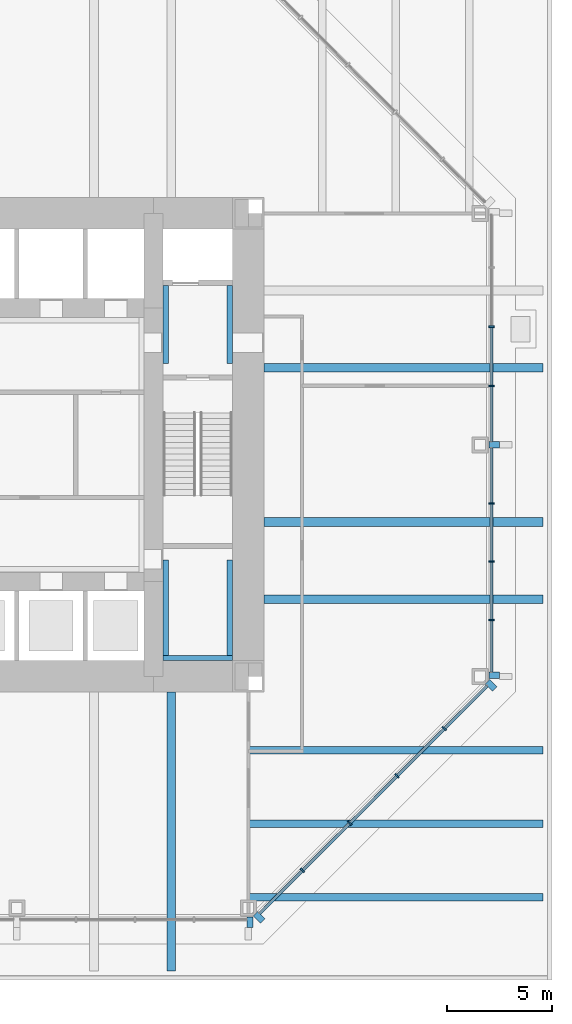
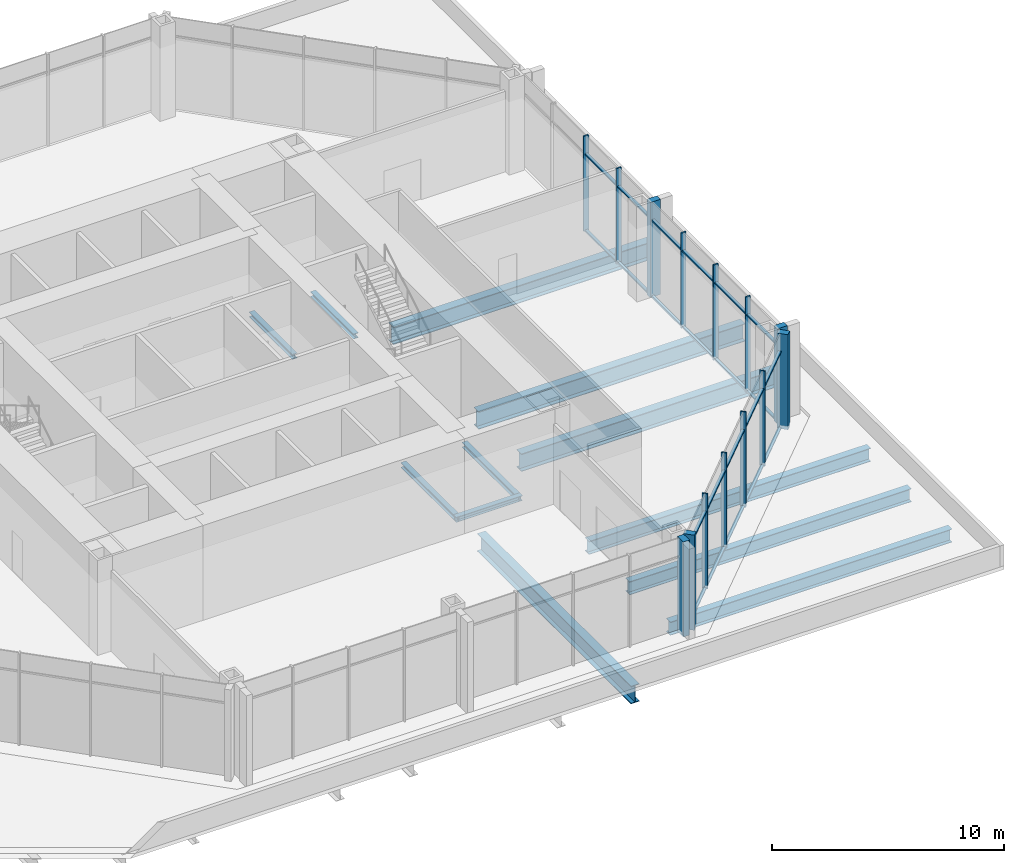
# One storey, part 3 of 11: 36 members, 12 beams, 3 elements without a shape of their own.
"""IFC4 building model written with IfcOpenShell, lengths in metres."""

from ifc_helpers import new_model, si_unit, direction, frame, origin, origin_2d, place, context, subcontext, project, spatial, rectangle, i_section, extrude, material, material_profile, profile_set, type_object, element, aggregate, save


model = new_model("IFC4")

# Units and contexts
model_context = context("Model", 3, precision=1e-05, world=origin(), true_north=direction((0.0, 1.0)))
body_context = subcontext(model_context, "Body", "Model", "MODEL_VIEW")
ifc_project = project(units=[si_unit("LENGTHUNIT", "METRE"), si_unit("AREAUNIT", "SQUARE_METRE"), si_unit("VOLUMEUNIT", "CUBIC_METRE"), si_unit("PLANEANGLEUNIT", "RADIAN"), si_unit("MASSUNIT", "GRAM", prefix="KILO")], contexts=[model_context])

# Site, building, storey
site_placement = place(None, origin())
site = spatial("IfcSite", under=ifc_project, at=site_placement, CompositionType="ELEMENT")
building_placement = place(site_placement, origin())
building = spatial("IfcBuilding", under=site, at=building_placement, Name="Trevanion Tower", CompositionType="ELEMENT")
storey_placement = place(building_placement, frame((0.0, 0.0, 95.800048828125)))
storey = spatial("IfcBuildingStorey", under=building, at=storey_placement, Name="L22", CompositionType="ELEMENT", Elevation=95.800048828125)

# Beams
ifc_material_1 = material(Name="Steel ASTM A992 Grade 50", Category="steel")
ifc_material_profile_1 = material_profile(ifc_material_1, i_section(OverallWidth=0.419189453125, OverallDepth=0.927001953125, WebThickness=0.019287109375, FlangeThickness=0.031982421875, at=origin_2d()), Name="W36X231")
ifc_profile_set_1 = profile_set([ifc_material_profile_1], Name="Steel ASTM A992 Grade 50")
beam_type_1 = type_object("IfcBeamType", Name="B5 W36X231", PredefinedType="BEAM", material=ifc_profile_set_1)
for number, where, z_axis, x_axis, name in (
    (1, (11.75, -7.333251953125, -0.653564453125), (1.0, 0.0, 0.0), (0.0, 1.0, 0.0), "B5 L22"),
    (2, (11.75, -3.666748046875, -0.653564453125), (1.0, 0.0, 0.0), (0.0, 1.0, 0.0), "B5 L22"),
    (3, (11.75, 3.666748046875, -0.653564453125), (1.0, 0.0, 0.0), (0.0, 1.0, 0.0), "B5 L22"),
    (4, (7.333251953125, -11.75, -0.653564453125), (0.0, -1.0, 0.0), (1.0, 0.0, 0.0), "B5 L22"),
):
    element("IfcBeam", number, at=place(storey_placement, frame(where, z_axis=z_axis, x_axis=x_axis)), inside=storey, type_object=beam_type_1, Name=name, PredefinedType="BEAM", context=body_context, shape_type="SweptSolid", body=[
        extrude(i_section(OverallWidth=0.419189453125, OverallDepth=0.927001953125, WebThickness=0.019287109375, FlangeThickness=0.031982421875, at=origin_2d()), origin(), (0.0, 0.0, 1.0), 13.25),
    ])
ifc_material_2 = material(Name="Steel ASTM A992 Grade 50", Category="steel")
ifc_material_profile_2 = material_profile(ifc_material_2, i_section(OverallWidth=0.355712890625, OverallDepth=0.696044921875, WebThickness=0.015380859375, FlangeThickness=0.024658203125, at=origin_2d()), Name="W27X146")
ifc_profile_set_2 = profile_set([ifc_material_profile_2], Name="Steel ASTM A992 Grade 50")
beam_type_2 = type_object("IfcBeamType", Name="B6 W27X146", PredefinedType="BEAM", material=ifc_profile_set_2)
for number, where, z_axis, x_axis, name in (
    (5, (11.0, -14.5, -0.5380859375), (1.0, 0.0, 0.0), (0.0, 1.0, 0.0), "B6 L22"),
    (6, (11.0, -18.0, -0.5380859375), (1.0, 0.0, 0.0), (0.0, 1.0, 0.0), "B6 L22"),
    (7, (11.0, -21.5, -0.5380859375), (1.0, 0.0, 0.0), (0.0, 1.0, 0.0), "B6 L22"),
):
    element("IfcBeam", number, at=place(storey_placement, frame(where, z_axis=z_axis, x_axis=x_axis)), inside=storey, type_object=beam_type_2, Name=name, PredefinedType="BEAM", context=body_context, shape_type="SweptSolid", body=[
        extrude(i_section(OverallWidth=0.355712890625, OverallDepth=0.696044921875, WebThickness=0.015380859375, FlangeThickness=0.024658203125, at=origin_2d()), origin(), (0.0, 0.0, 1.0), 14.0),
    ])

# Curtain wall, members
ifc_material_3 = material(Name="Aluminium and glass", Category="aluminium")
curtain_wall_type = type_object("IfcCurtainWallType", Name="CW2 curtain wall", PredefinedType="USERDEFINED", material=ifc_material_3)
curtain_wall_1_placement = place(storey_placement, origin())
curtain_wall_1 = element("IfcCurtainWall", 8, at=curtain_wall_1_placement, inside=storey, type_object=curtain_wall_type, Name="CW2 L22 0", ObjectType="UNITISED CURTAIN WALL", PredefinedType="USERDEFINED")
ifc_material_4 = material(Name="Aluminium extrusion, anodised bronze", Category="aluminium")
ifc_material_profile_3 = material_profile(ifc_material_4, rectangle(XDim=0.074951171875, YDim=0.25, at=origin_2d()), Name="CW2 mullion")
ifc_profile_set_3 = profile_set([ifc_material_profile_3], Name="Aluminium extrusion, anodised bronze")
member_type_1 = type_object("IfcMemberType", Name="CW2 mullion", PredefinedType="MULLION", material=ifc_profile_set_3)
member_1_placement = place(storey_placement, frame((22.550048828125, -8.323486328125, -0.18994140625), z_axis=(0.0, 0.0, 1.0), x_axis=(0.0, 1.0, 0.0)))
member_1 = element("IfcMember", 9, at=member_1_placement, type_object=member_type_1, Name="CW2 mullion 2", PredefinedType="MULLION", context=body_context, shape_type="SweptSolid", body=[
    extrude(rectangle(XDim=0.074951171875, YDim=0.25, at=origin_2d()), origin(), (0.0, 0.0, 1.0), 5.0),
])
member_2_placement = place(storey_placement, frame((22.550048828125, -5.548828125, -0.18994140625), z_axis=(0.0, 0.0, 1.0), x_axis=(0.0, 1.0, 0.0)))
member_2 = element("IfcMember", 10, at=member_2_placement, type_object=member_type_1, Name="CW2 mullion 3", PredefinedType="MULLION", context=body_context, shape_type="SweptSolid", body=[
    extrude(rectangle(XDim=0.074951171875, YDim=0.25, at=origin_2d()), origin(), (0.0, 0.0, 1.0), 5.0),
])
member_3_placement = place(storey_placement, frame((22.550048828125, -2.7744140625, -0.18994140625), z_axis=(0.0, 0.0, 1.0), x_axis=(0.0, 1.0, 0.0)))
member_3 = element("IfcMember", 11, at=member_3_placement, type_object=member_type_1, Name="CW2 mullion 4", PredefinedType="MULLION", context=body_context, shape_type="SweptSolid", body=[
    extrude(rectangle(XDim=0.074951171875, YDim=0.25, at=origin_2d()), origin(), (0.0, 0.0, 1.0), 5.0),
])
member_4_placement = place(storey_placement, frame((22.550048828125, 2.806884765625, -0.18994140625), z_axis=(0.0, 0.0, 1.0), x_axis=(0.0, 1.0, 0.0)))
member_4 = element("IfcMember", 12, at=member_4_placement, type_object=member_type_1, Name="CW2 mullion 6", PredefinedType="MULLION", context=body_context, shape_type="SweptSolid", body=[
    extrude(rectangle(XDim=0.074951171875, YDim=0.25, at=origin_2d()), origin(), (0.0, 0.0, 1.0), 5.0),
])
member_5_placement = place(storey_placement, frame((22.550048828125, 5.614013671875, -0.18994140625), z_axis=(0.0, 0.0, 1.0), x_axis=(0.0, 1.0, 0.0)))
member_5 = element("IfcMember", 13, at=member_5_placement, type_object=member_type_1, Name="CW2 mullion 7", PredefinedType="MULLION", context=body_context, shape_type="SweptSolid", body=[
    extrude(rectangle(XDim=0.074951171875, YDim=0.25, at=origin_2d()), origin(), (0.0, 0.0, 1.0), 5.0),
])

curtain_wall_2_placement = place(storey_placement, origin())
curtain_wall_2 = element("IfcCurtainWall", 14, at=curtain_wall_2_placement, inside=storey, type_object=curtain_wall_type, Name="CW2 L22 7", ObjectType="UNITISED CURTAIN WALL", PredefinedType="USERDEFINED")
member_6_placement = place(storey_placement, frame((13.56591796875, -20.2119140625, -0.18994140625), z_axis=(0.0, 0.0, 1.0), x_axis=(0.707106781187, 0.707106781187, 0.0)))
member_6 = element("IfcMember", 15, at=member_6_placement, type_object=member_type_1, Name="CW2 mullion 2", PredefinedType="MULLION", context=body_context, shape_type="SweptSolid", body=[
    extrude(rectangle(XDim=0.074951171875, YDim=0.25, at=origin_2d()), origin(), (0.0, 0.0, 1.0), 5.0),
])
member_7_placement = place(storey_placement, frame((15.811767578125, -17.966064453125, -0.18994140625), z_axis=(0.0, 0.0, 1.0), x_axis=(0.707106781187, 0.707106781187, 0.0)))
member_7 = element("IfcMember", 16, at=member_7_placement, type_object=member_type_1, Name="CW2 mullion 3", PredefinedType="MULLION", context=body_context, shape_type="SweptSolid", body=[
    extrude(rectangle(XDim=0.074951171875, YDim=0.25, at=origin_2d()), origin(), (0.0, 0.0, 1.0), 5.0),
])
member_8_placement = place(storey_placement, frame((18.057861328125, -15.719970703125, -0.18994140625), z_axis=(0.0, 0.0, 1.0), x_axis=(0.707106781187, 0.707106781187, 0.0)))
member_8 = element("IfcMember", 17, at=member_8_placement, type_object=member_type_1, Name="CW2 mullion 4", PredefinedType="MULLION", context=body_context, shape_type="SweptSolid", body=[
    extrude(rectangle(XDim=0.074951171875, YDim=0.25, at=origin_2d()), origin(), (0.0, 0.0, 1.0), 5.0),
])
member_9_placement = place(storey_placement, frame((20.303955078125, -13.473876953125, -0.18994140625), z_axis=(0.0, 0.0, 1.0), x_axis=(0.707106781187, 0.707106781187, 0.0)))
member_9 = element("IfcMember", 18, at=member_9_placement, type_object=member_type_1, Name="CW2 mullion 5", PredefinedType="MULLION", context=body_context, shape_type="SweptSolid", body=[
    extrude(rectangle(XDim=0.074951171875, YDim=0.25, at=origin_2d()), origin(), (0.0, 0.0, 1.0), 5.0),
])

# Member
ifc_material_5 = material(Name="Aluminium extrusion, anodised bronze", Category="aluminium")
ifc_material_profile_4 = material_profile(ifc_material_5, rectangle(XDim=0.300048828125, YDim=0.5, at=origin_2d()), Name="CW2 pier mullion")
ifc_profile_set_4 = profile_set([ifc_material_profile_4], Name="Aluminium extrusion, anodised bronze")
member_type_2 = type_object("IfcMemberType", Name="CW2 pier mullion", PredefinedType="MULLION", material=ifc_profile_set_4)
member_10_placement = place(storey_placement, frame((22.675048828125, -10.94775390625, -0.18994140625), z_axis=(0.0, 0.0, 1.0), x_axis=(0.0, 1.0, 0.0)))
member_10 = element("IfcMember", 19, at=member_10_placement, type_object=member_type_2, Name="CW2 pier mullion 1", PredefinedType="MULLION", context=body_context, shape_type="SweptSolid", body=[
    extrude(rectangle(XDim=0.300048828125, YDim=0.5, at=origin_2d()), origin(), (0.0, 0.0, 1.0), 5.0),
])

member_11_placement = place(storey_placement, frame((22.675048828125, 0.0, -0.18994140625), z_axis=(0.0, 0.0, 1.0), x_axis=(0.0, 1.0, 0.0)))
member_11 = element("IfcMember", 20, at=member_11_placement, type_object=member_type_2, Name="CW2 pier mullion 5", PredefinedType="MULLION", context=body_context, shape_type="SweptSolid", body=[
    extrude(rectangle(XDim=0.300048828125, YDim=0.5, at=origin_2d()), origin(), (0.0, 0.0, 1.0), 5.0),
])

# Curtain wall, member
curtain_wall_3_placement = place(storey_placement, origin())
curtain_wall_3 = element("IfcCurtainWall", 21, at=curtain_wall_3_placement, inside=storey, type_object=curtain_wall_type, Name="CW2 L22 6", ObjectType="UNITISED CURTAIN WALL", PredefinedType="USERDEFINED")
member_12_placement = place(storey_placement, frame((11.077880859375, -22.675048828125, -0.18994140625), z_axis=(0.0, 0.0, 1.0), x_axis=(1.0, 0.0, 0.0)))
member_12 = element("IfcMember", 22, at=member_12_placement, type_object=member_type_2, Name="CW2 pier mullion 9", PredefinedType="MULLION", context=body_context, shape_type="SweptSolid", body=[
    extrude(rectangle(XDim=0.300048828125, YDim=0.5, at=origin_2d()), origin(), (0.0, 0.0, 1.0), 5.0),
])
aggregate(curtain_wall_3, [member_12])

# Member
member_13_placement = place(storey_placement, frame((11.51416015625, -22.4404296875, -0.18994140625), z_axis=(0.0, 0.0, 1.0), x_axis=(0.707106781187, 0.707106781187, 0.0)))
member_13 = element("IfcMember", 23, at=member_13_placement, type_object=member_type_2, Name="CW2 pier mullion 1", PredefinedType="MULLION", context=body_context, shape_type="SweptSolid", body=[
    extrude(rectangle(XDim=0.300048828125, YDim=0.5, at=origin_2d()), origin(), (0.0, 0.0, 1.0), 5.0),
])

member_14_placement = place(storey_placement, frame((22.5322265625, -11.42236328125, -0.18994140625), z_axis=(0.0, 0.0, 1.0), x_axis=(0.707106781187, 0.707106781187, 0.0)))
member_14 = element("IfcMember", 24, at=member_14_placement, type_object=member_type_2, Name="CW2 pier mullion 6", PredefinedType="MULLION", context=body_context, shape_type="SweptSolid", body=[
    extrude(rectangle(XDim=0.300048828125, YDim=0.5, at=origin_2d()), origin(), (0.0, 0.0, 1.0), 5.0),
])

ifc_material_6 = material(Name="Aluminium extrusion, anodised bronze", Category="aluminium")
ifc_material_profile_5 = material_profile(ifc_material_6, rectangle(XDim=0.14990234375, YDim=0.074951171875, at=origin_2d()), Name="CW2 transom")
ifc_profile_set_5 = profile_set([ifc_material_profile_5], Name="Aluminium extrusion, anodised bronze")
member_type_3 = type_object("IfcMemberType", Name="CW2 transom", PredefinedType="USERDEFINED", material=ifc_profile_set_5)
member_15_placement = place(storey_placement, frame((22.550048828125, -10.7978515625, -0.152587890625), z_axis=(0.0, 1.0, 0.0), x_axis=(-1.0, 0.0, 0.0)))
member_15 = element("IfcMember", 25, at=member_15_placement, type_object=member_type_3, Name="CW2 transom 1.1", ObjectType="TRANSOM", PredefinedType="USERDEFINED", context=body_context, shape_type="SweptSolid", body=[
    extrude(rectangle(XDim=0.14990234375, YDim=0.074951171875, at=origin_2d()), origin(), (0.0, 0.0, 1.0), 2.43701171875),
])

member_16_placement = place(storey_placement, frame((22.550048828125, -10.7978515625, 3.85986328125), z_axis=(0.0, 1.0, 0.0), x_axis=(-1.0, 0.0, 0.0)))
member_16 = element("IfcMember", 26, at=member_16_placement, type_object=member_type_3, Name="CW2 transom 1.2", ObjectType="TRANSOM", PredefinedType="USERDEFINED", context=body_context, shape_type="SweptSolid", body=[
    extrude(rectangle(XDim=0.14990234375, YDim=0.074951171875, at=origin_2d()), origin(), (0.0, 0.0, 1.0), 2.43701171875),
])

member_17_placement = place(storey_placement, frame((22.550048828125, -8.285888671875, -0.152587890625), z_axis=(0.0, 1.0, 0.0), x_axis=(-1.0, 0.0, 0.0)))
member_17 = element("IfcMember", 27, at=member_17_placement, type_object=member_type_3, Name="CW2 transom 2.1", ObjectType="TRANSOM", PredefinedType="USERDEFINED", context=body_context, shape_type="SweptSolid", body=[
    extrude(rectangle(XDim=0.14990234375, YDim=0.074951171875, at=origin_2d()), origin(), (0.0, 0.0, 1.0), 2.699462890625),
])

member_18_placement = place(storey_placement, frame((22.550048828125, -8.285888671875, 3.85986328125), z_axis=(0.0, 1.0, 0.0), x_axis=(-1.0, 0.0, 0.0)))
member_18 = element("IfcMember", 28, at=member_18_placement, type_object=member_type_3, Name="CW2 transom 2.2", ObjectType="TRANSOM", PredefinedType="USERDEFINED", context=body_context, shape_type="SweptSolid", body=[
    extrude(rectangle(XDim=0.14990234375, YDim=0.074951171875, at=origin_2d()), origin(), (0.0, 0.0, 1.0), 2.699462890625),
])

member_19_placement = place(storey_placement, frame((22.550048828125, -5.511474609375, -0.152587890625), z_axis=(0.0, 1.0, 0.0), x_axis=(-1.0, 0.0, 0.0)))
member_19 = element("IfcMember", 29, at=member_19_placement, type_object=member_type_3, Name="CW2 transom 3.1", ObjectType="TRANSOM", PredefinedType="USERDEFINED", context=body_context, shape_type="SweptSolid", body=[
    extrude(rectangle(XDim=0.14990234375, YDim=0.074951171875, at=origin_2d()), origin(), (0.0, 0.0, 1.0), 2.699462890625),
])

member_20_placement = place(storey_placement, frame((22.550048828125, -5.511474609375, 3.85986328125), z_axis=(0.0, 1.0, 0.0), x_axis=(-1.0, 0.0, 0.0)))
member_20 = element("IfcMember", 30, at=member_20_placement, type_object=member_type_3, Name="CW2 transom 3.2", ObjectType="TRANSOM", PredefinedType="USERDEFINED", context=body_context, shape_type="SweptSolid", body=[
    extrude(rectangle(XDim=0.14990234375, YDim=0.074951171875, at=origin_2d()), origin(), (0.0, 0.0, 1.0), 2.699462890625),
])

member_21_placement = place(storey_placement, frame((22.550048828125, -2.737060546875, -0.152587890625), z_axis=(0.0, 1.0, 0.0), x_axis=(-1.0, 0.0, 0.0)))
member_21 = element("IfcMember", 31, at=member_21_placement, type_object=member_type_3, Name="CW2 transom 4.1", ObjectType="TRANSOM", PredefinedType="USERDEFINED", context=body_context, shape_type="SweptSolid", body=[
    extrude(rectangle(XDim=0.14990234375, YDim=0.074951171875, at=origin_2d()), origin(), (0.0, 0.0, 1.0), 2.587158203125),
])

member_22_placement = place(storey_placement, frame((22.550048828125, -2.737060546875, 3.85986328125), z_axis=(0.0, 1.0, 0.0), x_axis=(-1.0, 0.0, 0.0)))
member_22 = element("IfcMember", 32, at=member_22_placement, type_object=member_type_3, Name="CW2 transom 4.2", ObjectType="TRANSOM", PredefinedType="USERDEFINED", context=body_context, shape_type="SweptSolid", body=[
    extrude(rectangle(XDim=0.14990234375, YDim=0.074951171875, at=origin_2d()), origin(), (0.0, 0.0, 1.0), 2.587158203125),
])

member_23_placement = place(storey_placement, frame((22.550048828125, 0.14990234375, -0.152587890625), z_axis=(0.0, 1.0, 0.0), x_axis=(-1.0, 0.0, 0.0)))
member_23 = element("IfcMember", 33, at=member_23_placement, type_object=member_type_3, Name="CW2 transom 5.1", ObjectType="TRANSOM", PredefinedType="USERDEFINED", context=body_context, shape_type="SweptSolid", body=[
    extrude(rectangle(XDim=0.14990234375, YDim=0.074951171875, at=origin_2d()), origin(), (0.0, 0.0, 1.0), 2.619384765625),
])

member_24_placement = place(storey_placement, frame((22.550048828125, 0.14990234375, 3.85986328125), z_axis=(0.0, 1.0, 0.0), x_axis=(-1.0, 0.0, 0.0)))
member_24 = element("IfcMember", 34, at=member_24_placement, type_object=member_type_3, Name="CW2 transom 5.2", ObjectType="TRANSOM", PredefinedType="USERDEFINED", context=body_context, shape_type="SweptSolid", body=[
    extrude(rectangle(XDim=0.14990234375, YDim=0.074951171875, at=origin_2d()), origin(), (0.0, 0.0, 1.0), 2.619384765625),
])

member_25_placement = place(storey_placement, frame((22.550048828125, 2.844482421875, -0.152587890625), z_axis=(0.0, 1.0, 0.0), x_axis=(-1.0, 0.0, 0.0)))
member_25 = element("IfcMember", 35, at=member_25_placement, type_object=member_type_3, Name="CW2 transom 6.1", ObjectType="TRANSOM", PredefinedType="USERDEFINED", context=body_context, shape_type="SweptSolid", body=[
    extrude(rectangle(XDim=0.14990234375, YDim=0.074951171875, at=origin_2d()), origin(), (0.0, 0.0, 1.0), 2.73193359375),
])

member_26_placement = place(storey_placement, frame((22.550048828125, 2.844482421875, 3.85986328125), z_axis=(0.0, 1.0, 0.0), x_axis=(-1.0, 0.0, 0.0)))
member_26 = element("IfcMember", 36, at=member_26_placement, type_object=member_type_3, Name="CW2 transom 6.2", ObjectType="TRANSOM", PredefinedType="USERDEFINED", context=body_context, shape_type="SweptSolid", body=[
    extrude(rectangle(XDim=0.14990234375, YDim=0.074951171875, at=origin_2d()), origin(), (0.0, 0.0, 1.0), 2.73193359375),
])

aggregate(curtain_wall_1, [member_10, member_1, member_2, member_3, member_11, member_4, member_5, member_15, member_16, member_17, member_18, member_19, member_20, member_21, member_22, member_23, member_24, member_25, member_26])

member_27_placement = place(storey_placement, frame((11.531982421875, -22.245849609375, -0.152587890625), z_axis=(0.707106781187, 0.707106781187, 0.0), x_axis=(-0.707106781187, 0.707106781187, 0.0)))
member_27 = element("IfcMember", 37, at=member_27_placement, type_object=member_type_3, Name="CW2 transom 1.1", ObjectType="TRANSOM", PredefinedType="USERDEFINED", context=body_context, shape_type="SweptSolid", body=[
    extrude(rectangle(XDim=0.14990234375, YDim=0.074951171875, at=origin_2d()), origin(), (0.0, 0.0, 1.0), 2.8388671875),
])

member_28_placement = place(storey_placement, frame((11.531982421875, -22.245849609375, 3.85986328125), z_axis=(0.707106781187, 0.707106781187, 0.0), x_axis=(-0.707106781187, 0.707106781187, 0.0)))
member_28 = element("IfcMember", 38, at=member_28_placement, type_object=member_type_3, Name="CW2 transom 1.2", ObjectType="TRANSOM", PredefinedType="USERDEFINED", context=body_context, shape_type="SweptSolid", body=[
    extrude(rectangle(XDim=0.14990234375, YDim=0.074951171875, at=origin_2d()), origin(), (0.0, 0.0, 1.0), 2.8388671875),
])

member_29_placement = place(storey_placement, frame((13.59228515625, -20.185546875, -0.152587890625), z_axis=(0.707106781187, 0.707106781187, 0.0), x_axis=(-0.707106781187, 0.707106781187, 0.0)))
member_29 = element("IfcMember", 39, at=member_29_placement, type_object=member_type_3, Name="CW2 transom 2.1", ObjectType="TRANSOM", PredefinedType="USERDEFINED", context=body_context, shape_type="SweptSolid", body=[
    extrude(rectangle(XDim=0.14990234375, YDim=0.074951171875, at=origin_2d()), origin(), (0.0, 0.0, 1.0), 3.1015625),
])

member_30_placement = place(storey_placement, frame((13.59228515625, -20.185546875, 3.85986328125), z_axis=(0.707106781187, 0.707106781187, 0.0), x_axis=(-0.707106781187, 0.707106781187, 0.0)))
member_30 = element("IfcMember", 40, at=member_30_placement, type_object=member_type_3, Name="CW2 transom 2.2", ObjectType="TRANSOM", PredefinedType="USERDEFINED", context=body_context, shape_type="SweptSolid", body=[
    extrude(rectangle(XDim=0.14990234375, YDim=0.074951171875, at=origin_2d()), origin(), (0.0, 0.0, 1.0), 3.1015625),
])

member_31_placement = place(storey_placement, frame((15.83837890625, -17.939453125, -0.152587890625), z_axis=(0.707106781187, 0.707106781187, 0.0), x_axis=(-0.707106781187, 0.707106781187, 0.0)))
member_31 = element("IfcMember", 41, at=member_31_placement, type_object=member_type_3, Name="CW2 transom 3.1", ObjectType="TRANSOM", PredefinedType="USERDEFINED", context=body_context, shape_type="SweptSolid", body=[
    extrude(rectangle(XDim=0.14990234375, YDim=0.074951171875, at=origin_2d()), origin(), (0.0, 0.0, 1.0), 3.1015625),
])

member_32_placement = place(storey_placement, frame((15.83837890625, -17.939453125, 3.85986328125), z_axis=(0.707106781187, 0.707106781187, 0.0), x_axis=(-0.707106781187, 0.707106781187, 0.0)))
member_32 = element("IfcMember", 42, at=member_32_placement, type_object=member_type_3, Name="CW2 transom 3.2", ObjectType="TRANSOM", PredefinedType="USERDEFINED", context=body_context, shape_type="SweptSolid", body=[
    extrude(rectangle(XDim=0.14990234375, YDim=0.074951171875, at=origin_2d()), origin(), (0.0, 0.0, 1.0), 3.1015625),
])

member_33_placement = place(storey_placement, frame((18.08447265625, -15.693359375, -0.152587890625), z_axis=(0.707106781187, 0.707106781187, 0.0), x_axis=(-0.707106781187, 0.707106781187, 0.0)))
member_33 = element("IfcMember", 43, at=member_33_placement, type_object=member_type_3, Name="CW2 transom 4.1", ObjectType="TRANSOM", PredefinedType="USERDEFINED", context=body_context, shape_type="SweptSolid", body=[
    extrude(rectangle(XDim=0.14990234375, YDim=0.074951171875, at=origin_2d()), origin(), (0.0, 0.0, 1.0), 3.10107421875),
])

member_34_placement = place(storey_placement, frame((18.08447265625, -15.693359375, 3.85986328125), z_axis=(0.707106781187, 0.707106781187, 0.0), x_axis=(-0.707106781187, 0.707106781187, 0.0)))
member_34 = element("IfcMember", 44, at=member_34_placement, type_object=member_type_3, Name="CW2 transom 4.2", ObjectType="TRANSOM", PredefinedType="USERDEFINED", context=body_context, shape_type="SweptSolid", body=[
    extrude(rectangle(XDim=0.14990234375, YDim=0.074951171875, at=origin_2d()), origin(), (0.0, 0.0, 1.0), 3.10107421875),
])

member_35_placement = place(storey_placement, frame((20.33056640625, -13.447509765625, -0.152587890625), z_axis=(0.707063781595, 0.707149778163, 0.0), x_axis=(-0.707149778163, 0.707063781595, 0.0)))
member_35 = element("IfcMember", 45, at=member_35_placement, type_object=member_type_3, Name="CW2 transom 5.1", ObjectType="TRANSOM", PredefinedType="USERDEFINED", context=body_context, shape_type="SweptSolid", body=[
    extrude(rectangle(XDim=0.14990234375, YDim=0.074951171875, at=origin_2d()), origin(), (0.0, 0.0, 1.0), 2.8388671875),
])

member_36_placement = place(storey_placement, frame((20.33056640625, -13.447509765625, 3.85986328125), z_axis=(0.707063781595, 0.707149778163, 0.0), x_axis=(-0.707149778163, 0.707063781595, 0.0)))
member_36 = element("IfcMember", 46, at=member_36_placement, type_object=member_type_3, Name="CW2 transom 5.2", ObjectType="TRANSOM", PredefinedType="USERDEFINED", context=body_context, shape_type="SweptSolid", body=[
    extrude(rectangle(XDim=0.14990234375, YDim=0.074951171875, at=origin_2d()), origin(), (0.0, 0.0, 1.0), 2.8388671875),
])

aggregate(curtain_wall_2, [member_13, member_6, member_7, member_8, member_9, member_14, member_27, member_28, member_29, member_30, member_31, member_32, member_33, member_34, member_35, member_36])

# Beams
ifc_material_7 = material(Name="Steel ASTM A992 Grade 50", Category="steel")
ifc_material_profile_6 = material_profile(ifc_material_7, i_section(OverallWidth=0.256591796875, OverallDepth=0.26416015625, WebThickness=0.011962890625, FlangeThickness=0.01953125, at=origin_2d()), Name="W10X68")
ifc_profile_set_6 = profile_set([ifc_material_profile_6], Name="Steel ASTM A992 Grade 50")
beam_type_3 = type_object("IfcBeamType", Name="LB1 W10X68", PredefinedType="BEAM", material=ifc_profile_set_6)
for number, where, z_axis, x_axis, name in (
    (47, (7.078369140625, 3.875, -0.33203125), (0.0, 1.0, 0.0), (-1.0, 0.0, 0.0), "LB1 L22"),
    (48, (10.12158203125, 3.875, -0.33203125), (0.0, 1.0, 0.0), (-1.0, 0.0, 0.0), "LB1 L22"),
):
    element("IfcBeam", number, at=place(storey_placement, frame(where, z_axis=z_axis, x_axis=x_axis)), inside=storey, type_object=beam_type_3, Name=name, PredefinedType="BEAM", context=body_context, shape_type="SweptSolid", body=[
        extrude(i_section(OverallWidth=0.256591796875, OverallDepth=0.26416015625, WebThickness=0.011962890625, FlangeThickness=0.01953125, at=origin_2d()), origin(), (0.0, 0.0, 1.0), 3.699951171875),
    ])
for number, where, z_axis, x_axis, name in (
    (49, (7.078369140625, -10.25, -0.33203125), (0.0, 1.0, 0.0), (-1.0, 0.0, 0.0), "LB1 L22"),
    (50, (10.12158203125, -10.25, -0.33203125), (0.0, 1.0, 0.0), (-1.0, 0.0, 0.0), "LB1 L22"),
):
    element("IfcBeam", number, at=place(storey_placement, frame(where, z_axis=z_axis, x_axis=x_axis)), inside=storey, type_object=beam_type_3, Name=name, PredefinedType="BEAM", context=body_context, shape_type="SweptSolid", body=[
        extrude(i_section(OverallWidth=0.256591796875, OverallDepth=0.26416015625, WebThickness=0.011962890625, FlangeThickness=0.01953125, at=origin_2d()), origin(), (0.0, 0.0, 1.0), 4.77490234375),
    ])
beam_placement = place(storey_placement, frame((6.949951171875, -10.12158203125, -0.33203125), z_axis=(1.0, 0.0, 0.0), x_axis=(0.0, 1.0, 0.0)))
element("IfcBeam", 51, at=beam_placement, inside=storey, type_object=beam_type_3, Name="LB1 L22", PredefinedType="BEAM", context=body_context, shape_type="SweptSolid", body=[
    extrude(i_section(OverallWidth=0.256591796875, OverallDepth=0.26416015625, WebThickness=0.011962890625, FlangeThickness=0.01953125, at=origin_2d()), origin(), (0.0, 0.0, 1.0), 3.300048828125),
])

save(model, "model.ifc")
